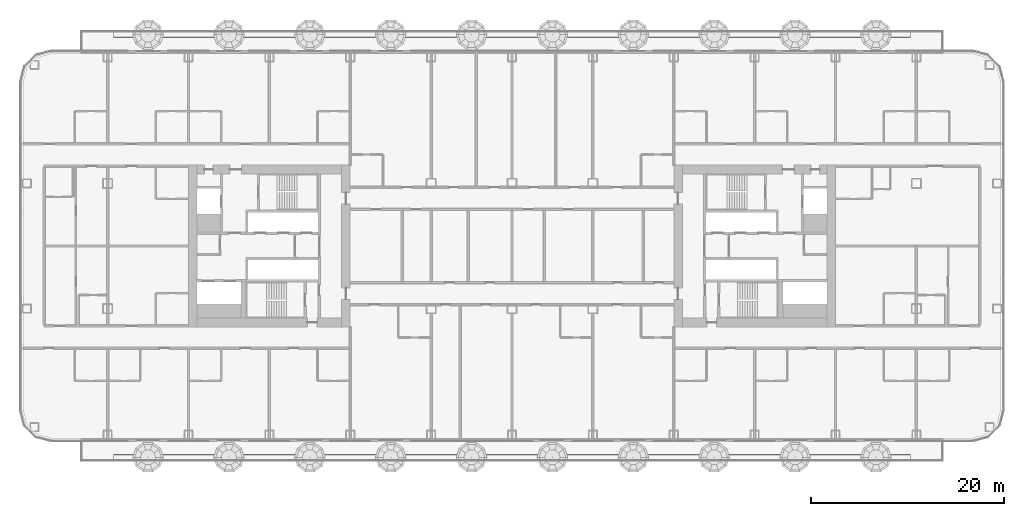
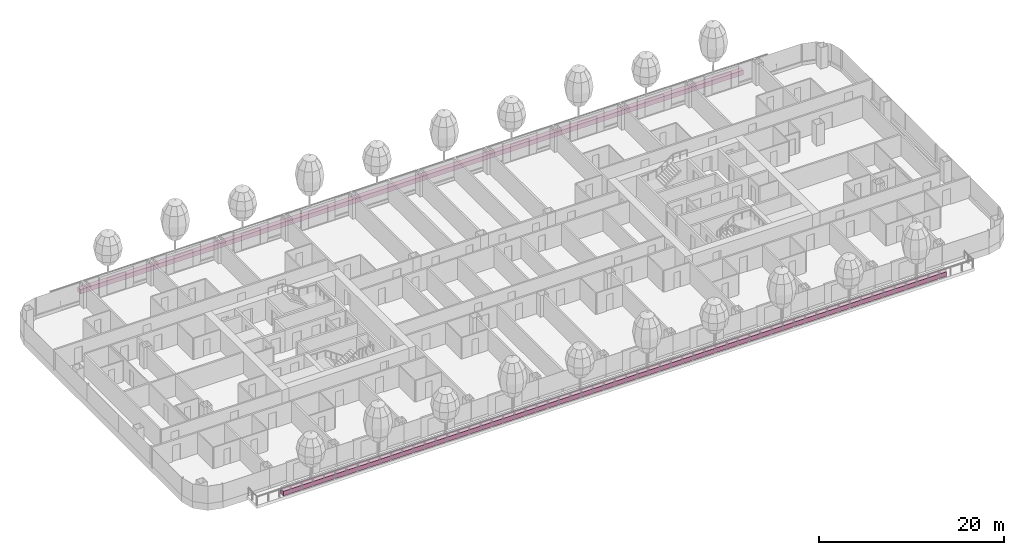
# One storey, part 30 of 35: 2 furniture elements.
"""IFC4 building model written with IfcOpenShell, lengths in metres."""

import ifcopenshell
import ifcopenshell.guid

model = None  # the IFC model being written
_history = None  # IfcOwnerHistory: only IFC2X3 demands one
_inside = {}  # id of a spatial element -> (the spatial element, [elements in it])
_under = {}  # id of a project, library or spatial element -> (it, [spatial elements below it])
_declared = {}  # id of a project -> (the project, [libraries it declares])
_typed = {}  # id of a type object -> (the type object, [elements of that type])
_made_of = {}  # id of a material, layer set ... -> (it, [elements and type objects made of it])


def new_model(schema):
    """Start an empty IFC model of exactly this schema.

    Asked for "IFC4X3", IfcOpenShell would pick the latest addendum, in which some entities
    have other attributes; the version numbers below select the first issue.
    IFC2X3 requires an IfcOwnerHistory on every rooted entity: one is made here for all.
    """
    global model, _history
    if schema == "IFC4X3":
        model = ifcopenshell.file(schema_version=(4, 3, 0, 0))
    else:
        model = ifcopenshell.file(schema=schema)
    _inside.clear()
    _under.clear()
    _declared.clear()
    _typed.clear()
    _made_of.clear()
    _history = None
    if model.schema == "IFC2X3":
        org = make("IfcOrganization", Name="unknown")
        user = make(
            "IfcPersonAndOrganization",
            ThePerson=make("IfcPerson", FamilyName="unknown"),
            TheOrganization=org,
        )
        app = make(
            "IfcApplication",
            ApplicationDeveloper=org,
            Version="unknown",
            ApplicationFullName="unknown",
            ApplicationIdentifier="unknown",
        )
        _history = make(
            "IfcOwnerHistory",
            OwningUser=user,
            OwningApplication=app,
            ChangeAction="ADDED",
            CreationDate=0,
        )
    return model


def make(cls, **values):
    """One entity of the class cls with the attributes given. An attribute that is None is left unset."""
    return model.create_entity(
        cls, **{name: value for name, value in values.items() if value is not None}
    )


def rooted(cls, **values):
    """An entity with a GlobalId (a new one), such as an element, a storey or a relation."""
    return make(cls, GlobalId=ifcopenshell.guid.new(), OwnerHistory=_history, **values)


def si_unit(unit_type, name, prefix=None):
    """IfcSIUnit, for example si_unit("LENGTHUNIT", "METRE", prefix="MILLI")."""
    return make("IfcSIUnit", UnitType=unit_type, Prefix=prefix, Name=name)


def assignment(units):
    """IfcUnitAssignment: the units of a project."""
    return None if units is None else make("IfcUnitAssignment", Units=units)


def point(xyz):
    """IfcCartesianPoint."""
    return None if xyz is None else make("IfcCartesianPoint", Coordinates=xyz)


def direction(xyz):
    """IfcDirection."""
    return None if xyz is None else make("IfcDirection", DirectionRatios=xyz)


def frame(location, z_axis=None, x_axis=None):
    """IfcAxis2Placement3D, a coordinate frame: its origin and axes. An axis left out is left unset."""
    return make(
        "IfcAxis2Placement3D",
        Location=point(location),
        Axis=direction(z_axis),
        RefDirection=direction(x_axis),
    )


def frame_2d(location, x_axis=None):
    """IfcAxis2Placement2D, a coordinate frame in the plane: its origin and x axis."""
    return make(
        "IfcAxis2Placement2D", Location=point(location), RefDirection=direction(x_axis)
    )


def origin():
    """The frame at (0, 0, 0) with its axes left unset."""
    return frame((0.0, 0.0, 0.0))


def origin_2d():
    """The frame at (0, 0) in the plane with its x axis left unset."""
    return frame_2d((0.0, 0.0))


def place(relative_to, where):
    """IfcLocalPlacement: puts the frame where relative to a parent placement (None: the world)."""
    return make(
        "IfcLocalPlacement", PlacementRelTo=relative_to, RelativePlacement=where
    )


def context(
    kind, dimensions, precision=None, world=None, true_north=None, identifier=None
):
    """IfcGeometricRepresentationContext, for example the 3D "Model" context."""
    return make(
        "IfcGeometricRepresentationContext",
        ContextIdentifier=identifier,
        ContextType=kind,
        CoordinateSpaceDimension=dimensions,
        Precision=precision,
        WorldCoordinateSystem=world,
        TrueNorth=true_north,
    )


def subcontext(parent, identifier, kind, view, scale=None):
    """IfcGeometricRepresentationSubContext, for example "Body" below "Model"."""
    return make(
        "IfcGeometricRepresentationSubContext",
        ContextIdentifier=identifier,
        ContextType=kind,
        ParentContext=parent,
        TargetScale=scale,
        TargetView=view,
    )


def project(units=None, contexts=None):
    """IfcProject with its units and contexts."""
    return rooted(
        "IfcProject",
        Name="project",
        RepresentationContexts=contexts,
        UnitsInContext=assignment(units),
    )


def spatial(cls, under=None, at=None, **own):
    """A site, building, storey or space (cls), placed at a placement, below another one or the project."""
    s = rooted(cls, ObjectPlacement=at, **own)
    if under is not None:
        _under.setdefault(under.id(), (under, []))[1].append(s)
    return s


def profile(cls, at=None, kind="AREA", **sizes):
    """A parametric profile (cls). Its sizes go by their IFC names, for example OverallWidth=200.0."""
    return make(cls, ProfileType=kind, Position=at, **sizes)


def rectangle(**sizes):
    """IfcRectangleProfileDef."""
    return profile("IfcRectangleProfileDef", **sizes)


def extrude(swept, where, along, depth):
    """IfcExtrudedAreaSolid: the profile swept, set in the frame where, extruded along a direction by depth."""
    return make(
        "IfcExtrudedAreaSolid",
        SweptArea=swept,
        Position=where,
        ExtrudedDirection=direction(along),
        Depth=depth,
    )


def shape(context_of_items, identifier, shape_type, items):
    """IfcShapeRepresentation: the items that make up one representation, for example the "Body"."""
    return make(
        "IfcShapeRepresentation",
        ContextOfItems=context_of_items,
        RepresentationIdentifier=identifier,
        RepresentationType=shape_type,
        Items=items,
    )


def material(Name=None, Category=None):
    """IfcMaterial."""
    return make("IfcMaterial", Name=Name, Category=Category)


def made_of(thing, what):
    """Note that an element or type object is made of a material, layer set ...; save() writes the relation."""
    if what is not None:
        _made_of.setdefault(what.id(), (what, []))[1].append(thing)
    return thing


def type_object(cls, material=None, **own):
    """A type object (cls), such as IfcWallType, which elements share."""
    return made_of(rooted(cls, **own), material)


def element(
    cls,
    number,
    at=None,
    inside=None,
    cuts=None,
    type_object=None,
    material=None,
    context=None,
    identifier="Body",
    shape_type=None,
    held_by="IfcProductDefinitionShape",
    body=None,
    shapes=None,
    **own,
):
    """One element of the class cls, such as IfcWall. Its Tag is "e" and its number.

    at: its placement. inside: the storey or other place that contains it. cuts: it is an
    opening in that element (IfcRelVoidsElement). A single representation is given by context,
    identifier, shape_type and body (its items); several are given by shapes. held_by: the class
    of the entity that holds the representations. save() writes the other relations.
    """
    e = rooted(cls, Tag="e%d" % number, ObjectPlacement=at, **own)
    if body is not None:
        shapes = [shape(context, identifier, shape_type, body)]
    if shapes is not None:
        e.Representation = make(held_by, Representations=shapes)
    if inside is not None:
        _inside.setdefault(inside.id(), (inside, []))[1].append(e)
    if cuts is not None:
        rooted(
            "IfcRelVoidsElement", RelatingBuildingElement=cuts, RelatedOpeningElement=e
        )
    if type_object is not None:
        _typed.setdefault(type_object.id(), (type_object, []))[1].append(e)
    return made_of(e, material)


def aggregate(whole, parts):
    """IfcRelAggregates: a whole, such as a stair, and the parts it consists of."""
    return rooted("IfcRelAggregates", RelatingObject=whole, RelatedObjects=parts)


def save(model, path):
    """Write the relations noted so far, then the file.

    IfcRelAggregates (storeys below a building ...), IfcRelContainedInSpatialStructure (elements
    in a storey), IfcRelDefinesByType, IfcRelAssociatesMaterial and IfcRelDeclares: one each for
    every whole, place, type object, material and project.
    """
    for whole, parts in _under.values():
        aggregate(whole, parts)
    for where, things in _inside.values():
        rooted(
            "IfcRelContainedInSpatialStructure",
            RelatedElements=things,
            RelatingStructure=where,
        )
    for kind, things in _typed.values():
        rooted("IfcRelDefinesByType", RelatedObjects=things, RelatingType=kind)
    for what, things in _made_of.values():
        rooted("IfcRelAssociatesMaterial", RelatedObjects=things, RelatingMaterial=what)
    for by, libraries in _declared.values():
        rooted("IfcRelDeclares", RelatingContext=by, RelatedDefinitions=libraries)
    model.write(path)


model = new_model("IFC4")

# Units and contexts
model_context = context("Model", 3, precision=1e-05, world=origin(), true_north=direction((0.0, 1.0)))
body_context = subcontext(model_context, "Body", "Model", "MODEL_VIEW")
ifc_project = project(units=[si_unit("LENGTHUNIT", "METRE"), si_unit("AREAUNIT", "SQUARE_METRE"), si_unit("VOLUMEUNIT", "CUBIC_METRE"), si_unit("PLANEANGLEUNIT", "RADIAN"), si_unit("MASSUNIT", "GRAM", prefix="KILO")], contexts=[model_context])

# Site, building, storey
site_placement = place(None, origin())
site = spatial("IfcSite", under=ifc_project, at=site_placement, CompositionType="ELEMENT")
building_placement = place(site_placement, origin())
building = spatial("IfcBuilding", under=site, at=building_placement, Name="Hakoniwa Tower and Hamabe Station Hall", CompositionType="ELEMENT")
storey_placement = place(building_placement, frame((0.0, 0.0, 51.800048828125)))
storey = spatial("IfcBuildingStorey", under=building, at=storey_placement, Name="L14", CompositionType="ELEMENT", Elevation=51.800048828125)

# Furniture
ifc_material = material(Name="Aluminium 6063-T5 black anodised trough with lightweight soil", Category="aluminium")
furniture_type = type_object("IfcFurnitureType", Name="Planter 600x600", AssemblyPlace="SITE", PredefinedType="USERDEFINED", material=ifc_material)
for number, where, z_axis, x_axis, name in (
    (1, (0.0, 21.949951171875, 0.0), (0.0, 0.0, 1.0), (1.0, 0.0, 0.0), "Planter 600x600"),
    (2, (0.0, -21.949951171875, 0.0), (0.0, 0.0, 1.0), (1.0, 0.0, 0.0), "Planter 600x600"),
):
    element("IfcFurniture", number, at=place(storey_placement, frame(where, z_axis=z_axis, x_axis=x_axis)), inside=storey, type_object=furniture_type, Name=name, ObjectType="PLANTER", PredefinedType="USERDEFINED", context=body_context, shape_type="SweptSolid", body=[
        extrude(rectangle(XDim=82.800048828125, YDim=0.60009765625, at=origin_2d()), origin(), (0.0, 0.0, 1.0), 0.60009765625),
    ])

save(model, "model.ifc")
